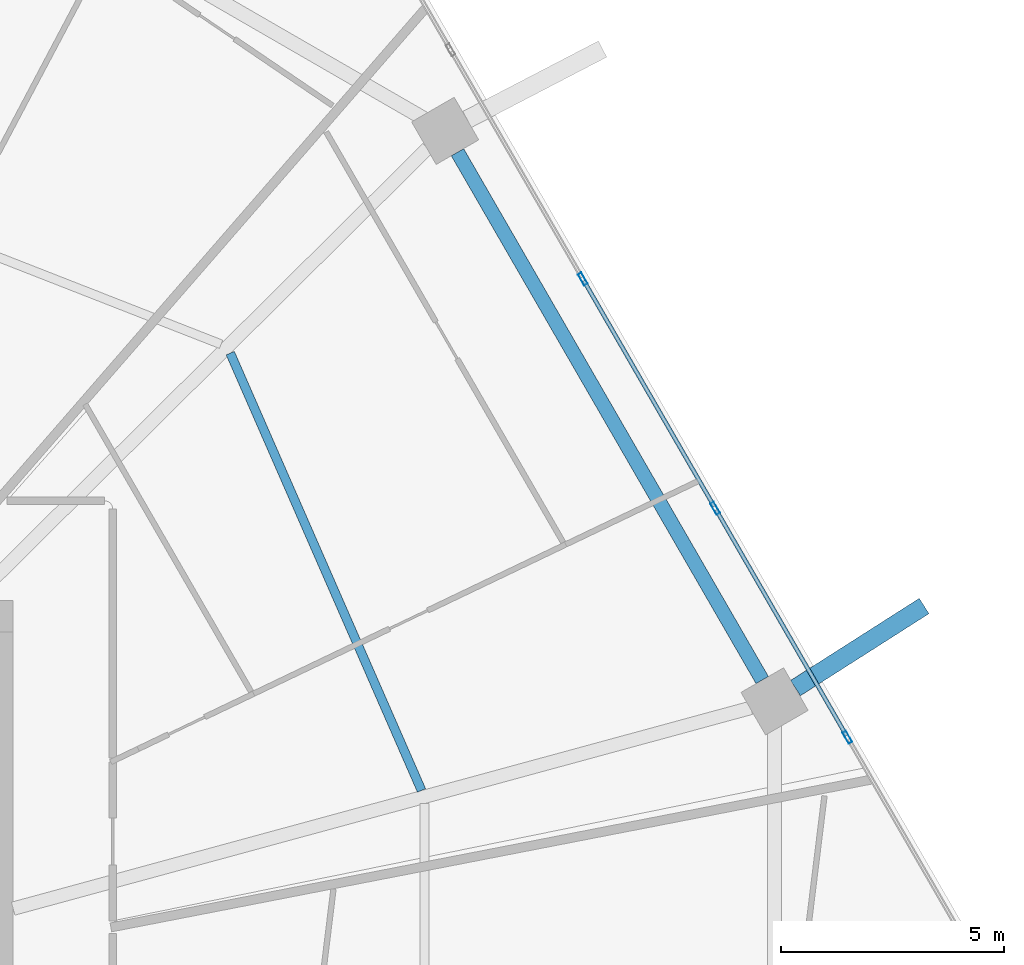
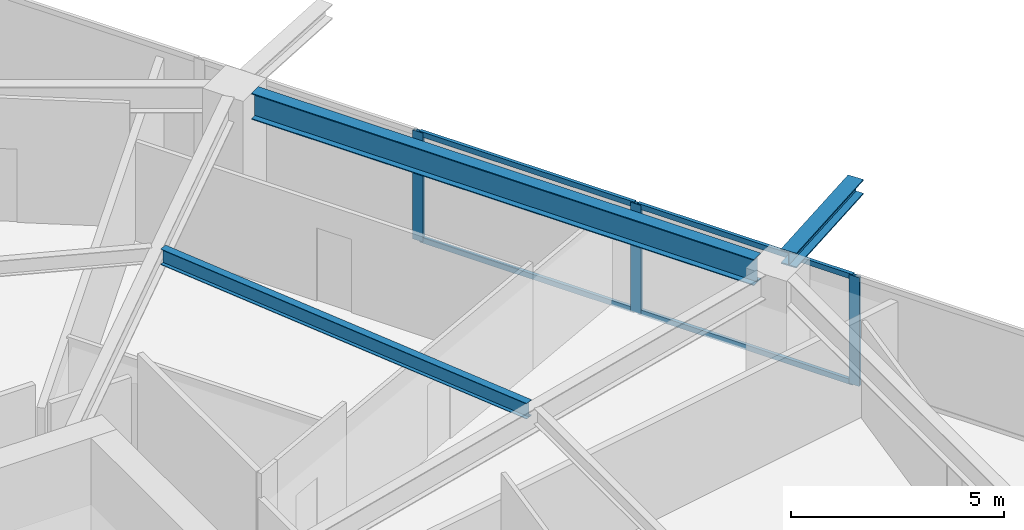
# One storey, part 18 of 33: 7 members, 3 beams, 1 element without a shape of its own.
"""IFC4 building model written with IfcOpenShell, lengths in metres."""

from ifc_helpers import new_model, si_unit, direction, frame, origin, origin_2d, place, context, subcontext, project, spatial, hollow_rectangle, i_section, extrude, material, material_profile, profile_set, type_object, element, aggregate, save


model = new_model("IFC4")

# Units and contexts
model_context = context("Model", 3, precision=1e-05, world=origin(), true_north=direction((0.0, 1.0)))
body_context = subcontext(model_context, "Body", "Model", "MODEL_VIEW")
ifc_project = project(units=[si_unit("LENGTHUNIT", "METRE"), si_unit("AREAUNIT", "SQUARE_METRE"), si_unit("VOLUMEUNIT", "CUBIC_METRE"), si_unit("PLANEANGLEUNIT", "RADIAN"), si_unit("MASSUNIT", "GRAM", prefix="KILO")], contexts=[model_context])

# Site, building, storey
site_placement = place(None, origin())
site = spatial("IfcSite", under=ifc_project, at=site_placement, CompositionType="ELEMENT")
building_placement = place(site_placement, origin())
building = spatial("IfcBuilding", under=site, at=building_placement, Name="Zuhravey Tower", CompositionType="ELEMENT")
storey_placement = place(building_placement, frame((0.0, 0.0, 126.60009765625)))
storey = spatial("IfcBuildingStorey", under=building, at=storey_placement, Name="L31", CompositionType="ELEMENT", Elevation=126.60009765625)

# Curtain wall, members
ifc_material_1 = material(Name="Thermally broken anodised aluminium", Category="aluminium")
curtain_wall_type = type_object("IfcCurtainWallType", Name="Zone 1-2 Residential Curtain Wall CW3", PredefinedType="NOTDEFINED", material=ifc_material_1)
curtain_wall_placement = place(storey_placement, origin())
curtain_wall = element("IfcCurtainWall", 1, at=curtain_wall_placement, inside=storey, type_object=curtain_wall_type, Name="L31 CW3 CW-L31-F1-1", PredefinedType="NOTDEFINED")
ifc_material_2 = material(Name="Anodised aluminium", Category="aluminium")
ifc_material_profile_1 = material_profile(ifc_material_2, hollow_rectangle(XDim=0.090087890625, YDim=0.284912109375, WallThickness=0.0048828125, at=origin_2d()), Name="ALU-RHS-90x285x5")
ifc_profile_set_1 = profile_set([ifc_material_profile_1], Name="Anodised aluminium")
member_type_1 = type_object("IfcMemberType", Name="Curtain-Wall Mullion 90x180", PredefinedType="MULLION", material=ifc_profile_set_1)
member_1_placement = place(storey_placement, frame((59.598876953125, 49.04248046875, 0.0), z_axis=(0.0, 0.0, 1.0), x_axis=(0.86602552265, 0.499999794119, 0.0)))
member_1 = element("IfcMember", 2, at=member_1_placement, type_object=member_type_1, Name="CW3 mullion 3", PredefinedType="MULLION", context=body_context, shape_type="SweptSolid", body=[
    extrude(hollow_rectangle(XDim=0.090087890625, YDim=0.284912109375, WallThickness=0.0048828125, at=origin_2d()), origin(), (0.0, 0.0, 1.0), 3.121826171875),
])
member_2_placement = place(storey_placement, frame((62.55859375, 43.916015625, 0.0), z_axis=(0.0, 0.0, 1.0), x_axis=(0.86602552265, 0.499999794119, 0.0)))
member_2 = element("IfcMember", 3, at=member_2_placement, type_object=member_type_1, Name="CW3 mullion 4", PredefinedType="MULLION", context=body_context, shape_type="SweptSolid", body=[
    extrude(hollow_rectangle(XDim=0.090087890625, YDim=0.284912109375, WallThickness=0.0048828125, at=origin_2d()), origin(), (0.0, 0.0, 1.0), 3.121826171875),
])
member_3_placement = place(storey_placement, frame((65.5185546875, 38.789306640625, 0.0), z_axis=(0.0, 0.0, 1.0), x_axis=(0.86602552265, 0.499999794119, 0.0)))
member_3 = element("IfcMember", 4, at=member_3_placement, type_object=member_type_1, Name="CW3 mullion 5", PredefinedType="MULLION", context=body_context, shape_type="SweptSolid", body=[
    extrude(hollow_rectangle(XDim=0.090087890625, YDim=0.284912109375, WallThickness=0.0048828125, at=origin_2d()), origin(), (0.0, 0.0, 1.0), 3.121826171875),
])
ifc_material_profile_2 = material_profile(ifc_material_2, hollow_rectangle(XDim=0.090087890625, YDim=0.14990234375, WallThickness=0.0048828125, at=origin_2d()), Name="ALU-RHS-90x150x5")
ifc_profile_set_2 = profile_set([ifc_material_profile_2], Name="Anodised aluminium")
member_type_2 = type_object("IfcMemberType", Name="Curtain-Wall Transom 90x150", PredefinedType="USERDEFINED", material=ifc_profile_set_2)
member_4_placement = place(storey_placement, frame((59.621337890625, 49.003662109375, 0.044921875), z_axis=(0.499981042766, -0.866036348472, 0.0), x_axis=(0.866036348472, 0.499981042766, 0.0)))
member_4 = element("IfcMember", 5, at=member_4_placement, type_object=member_type_2, Name="CW3 transom 3.1", ObjectType="TRANSOM", PredefinedType="USERDEFINED", context=body_context, shape_type="SweptSolid", body=[
    extrude(hollow_rectangle(XDim=0.090087890625, YDim=0.14990234375, WallThickness=0.0048828125, at=origin_2d()), origin(), (0.0, 0.0, 1.0), 5.829833984375),
])
member_5_placement = place(storey_placement, frame((59.621337890625, 49.003662109375, 3.076904296875), z_axis=(0.499981042766, -0.866036348472, 0.0), x_axis=(0.866036348472, 0.499981042766, 0.0)))
member_5 = element("IfcMember", 6, at=member_5_placement, type_object=member_type_2, Name="CW3 transom 3.2", ObjectType="TRANSOM", PredefinedType="USERDEFINED", context=body_context, shape_type="SweptSolid", body=[
    extrude(hollow_rectangle(XDim=0.090087890625, YDim=0.14990234375, WallThickness=0.0048828125, at=origin_2d()), origin(), (0.0, 0.0, 1.0), 5.829833984375),
])
member_6_placement = place(storey_placement, frame((62.581298828125, 43.876953125, 0.044921875), z_axis=(0.499981042766, -0.866036348472, 0.0), x_axis=(0.866036348472, 0.499981042766, 0.0)))
member_6 = element("IfcMember", 7, at=member_6_placement, type_object=member_type_2, Name="CW3 transom 4.1", ObjectType="TRANSOM", PredefinedType="USERDEFINED", context=body_context, shape_type="SweptSolid", body=[
    extrude(hollow_rectangle(XDim=0.090087890625, YDim=0.14990234375, WallThickness=0.0048828125, at=origin_2d()), origin(), (0.0, 0.0, 1.0), 5.829833984375),
])
member_7_placement = place(storey_placement, frame((62.581298828125, 43.876953125, 3.076904296875), z_axis=(0.499981042766, -0.866036348472, 0.0), x_axis=(0.866036348472, 0.499981042766, 0.0)))
member_7 = element("IfcMember", 8, at=member_7_placement, type_object=member_type_2, Name="CW3 transom 4.2", ObjectType="TRANSOM", PredefinedType="USERDEFINED", context=body_context, shape_type="SweptSolid", body=[
    extrude(hollow_rectangle(XDim=0.090087890625, YDim=0.14990234375, WallThickness=0.0048828125, at=origin_2d()), origin(), (0.0, 0.0, 1.0), 5.829833984375),
])
aggregate(curtain_wall, [member_1, member_2, member_3, member_4, member_5, member_6, member_7])

# Beams
ifc_material_3 = material(Name="Steel SM460", Category="steel")
ifc_material_profile_3 = material_profile(ifc_material_3, i_section(OverallWidth=0.406982421875, OverallDepth=0.427978515625, WebThickness=0.02001953125, FlangeThickness=0.034912109375, at=origin_2d()), Name="H-428x407x20x35")
ifc_profile_set_3 = profile_set([ifc_material_profile_3], Name="Steel SM460")
beam_type_1 = type_object("IfcBeamType", Name="Exoskeleton Node Tie Beam H428x407", PredefinedType="BEAM", material=ifc_profile_set_3)
beam_1_placement = place(storey_placement, frame((64.356689453125, 39.889892578125, 3.3359375), z_axis=(0.843069148412, 0.537805179407, 0.0), x_axis=(-0.537805179407, 0.843069148412, 0.0)))
element("IfcBeam", 9, at=beam_1_placement, inside=storey, type_object=beam_type_1, Name="L31 Exoskeleton Node Tie NT1-01", PredefinedType="BEAM", context=body_context, shape_type="SweptSolid", body=[
    extrude(i_section(OverallWidth=0.406982421875, OverallDepth=0.427978515625, WebThickness=0.02001953125, FlangeThickness=0.034912109375, at=origin_2d()), origin(), (0.0, 0.0, 1.0), 3.414306640625),
])
ifc_material_4 = material(Name="Steel SM355", Category="steel")
ifc_material_profile_4 = material_profile(ifc_material_4, i_section(OverallWidth=0.320068359375, OverallDepth=0.75, WebThickness=0.013916015625, FlangeThickness=0.02490234375, at=origin_2d()), Name="H-750x320x14x25")
ifc_profile_set_4 = profile_set([ifc_material_profile_4], Name="Steel SM355")
beam_type_2 = type_object("IfcBeamType", Name="Perimeter Ring Beam H750x320", PredefinedType="BEAM", material=ifc_profile_set_4)
beam_2_placement = place(storey_placement, frame((63.612548828125, 40.070556640625, 3.1748046875), z_axis=(-0.500008177929, 0.866020682204, 0.0), x_axis=(-0.866020682204, -0.500008177929, 0.0)))
element("IfcBeam", 10, at=beam_2_placement, inside=storey, type_object=beam_type_2, Name="L31 PB1 BM-L31-PB-01", PredefinedType="BEAM", context=body_context, shape_type="SweptSolid", body=[
    extrude(i_section(OverallWidth=0.320068359375, OverallDepth=0.75, WebThickness=0.013916015625, FlangeThickness=0.02490234375, at=origin_2d()), origin(), (0.0, 0.0, 1.0), 13.634033203125),
])
ifc_material_profile_5 = material_profile(ifc_material_4, i_section(OverallWidth=0.199951171875, OverallDepth=0.449951171875, WebThickness=0.009033203125, FlangeThickness=0.013916015625, at=origin_2d()), Name="H-450x200x9x14")
ifc_profile_set_5 = profile_set([ifc_material_profile_5], Name="Steel SM355")
beam_type_3 = type_object("IfcBeamType", Name="Secondary Floor Joist H450x200", PredefinedType="JOIST", material=ifc_profile_set_5)
beam_3_placement = place(storey_placement, frame((55.99072265625, 37.599609375, 3.324951171875), z_axis=(-0.400786454617, 0.916171500209, 0.0), x_axis=(-0.916171500209, -0.400786454617, 0.0)))
element("IfcBeam", 11, at=beam_3_placement, inside=storey, type_object=beam_type_3, Name="L31 SJ1 BM-L31-SJ-01-1", PredefinedType="JOIST", context=body_context, shape_type="SweptSolid", body=[
    extrude(i_section(OverallWidth=0.199951171875, OverallDepth=0.449951171875, WebThickness=0.009033203125, FlangeThickness=0.013916015625, at=origin_2d()), origin(), (0.0, 0.0, 1.0), 10.6796875),
])

save(model, "model.ifc")
